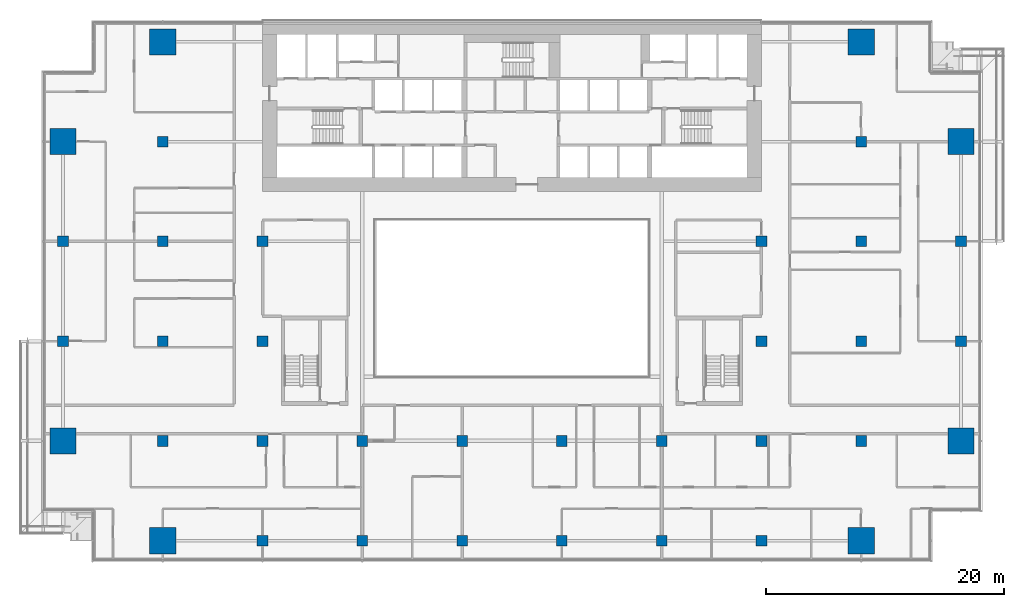
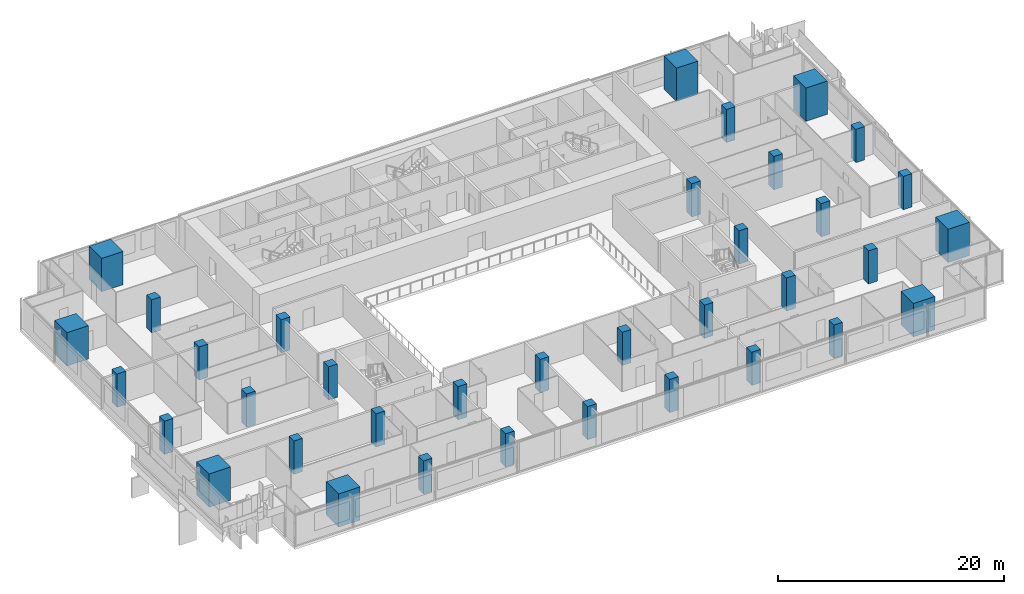
# One storey, part 1 of 27: 36 columns.
"""IFC4 building model written with IfcOpenShell, lengths in metres."""

from ifc_helpers import new_model, si_unit, direction, frame, origin, origin_2d, place, context, subcontext, project, spatial, rectangle, extrude, material, material_profile, profile_set, type_object, element, save


model = new_model("IFC4")

# Units and contexts
model_context = context("Model", 3, precision=1e-05, world=origin(), true_north=direction((0.0, 1.0)))
body_context = subcontext(model_context, "Body", "Model", "MODEL_VIEW")
ifc_project = project(units=[si_unit("LENGTHUNIT", "METRE"), si_unit("AREAUNIT", "SQUARE_METRE"), si_unit("VOLUMEUNIT", "CUBIC_METRE"), si_unit("PLANEANGLEUNIT", "RADIAN"), si_unit("MASSUNIT", "GRAM", prefix="KILO")], contexts=[model_context])

# Site, building, storey
site_placement = place(None, origin())
site = spatial("IfcSite", under=ifc_project, at=site_placement, CompositionType="ELEMENT")
building_placement = place(site_placement, origin())
building = spatial("IfcBuilding", under=site, at=building_placement, Name="Saffron Gate Tower", CompositionType="ELEMENT")
storey_placement = place(building_placement, frame((0.0, 0.0, 76.800048828125)))
storey = spatial("IfcBuildingStorey", under=building, at=storey_placement, Name="L18", CompositionType="ELEMENT", Elevation=76.800048828125)

# Columns
ifc_material_1 = material(Name="Concrete C60", Category="concrete")
ifc_material_profile_1 = material_profile(ifc_material_1, rectangle(XDim=0.89990234375, YDim=0.89990234375, at=origin_2d()))
ifc_profile_set_1 = profile_set([ifc_material_profile_1], Name="Concrete C60")
column_type_1 = type_object("IfcColumnType", Name="C6 RC 900x900 CONCRETE C60", PredefinedType="COLUMN", material=ifc_profile_set_1)
for number, where, z_axis, x_axis, name in (
    (1, (49.800048828125, 48.60009765625, 0.0), (0.0, 0.0, 1.0), (1.0, 0.0, 0.0), "C6 COLUMN X1-C"),
    (2, (49.800048828125, 57.0, 0.0), (0.0, 0.0, 1.0), (1.0, 0.0, 0.0), "C6 COLUMN X1-D"),
    (3, (58.199951171875, 40.199951171875, 0.0), (0.0, 0.0, 1.0), (1.0, 0.0, 0.0), "C6 COLUMN X2-B"),
    (4, (58.199951171875, 48.60009765625, 0.0), (0.0, 0.0, 1.0), (1.0, 0.0, 0.0), "C6 COLUMN X2-C"),
    (5, (58.199951171875, 57.0, 0.0), (0.0, 0.0, 1.0), (1.0, 0.0, 0.0), "C6 COLUMN X2-D"),
    (6, (58.199951171875, 65.39990234375, 0.0), (0.0, 0.0, 1.0), (1.0, 0.0, 0.0), "C6 COLUMN X2-E"),
    (7, (66.60009765625, 31.800048828125, 0.0), (0.0, 0.0, 1.0), (1.0, 0.0, 0.0), "C6 COLUMN X3-A"),
    (8, (66.60009765625, 40.199951171875, 0.0), (0.0, 0.0, 1.0), (1.0, 0.0, 0.0), "C6 COLUMN X3-B"),
    (9, (66.60009765625, 48.60009765625, 0.0), (0.0, 0.0, 1.0), (1.0, 0.0, 0.0), "C6 COLUMN X3-C"),
    (10, (66.60009765625, 57.0, 0.0), (0.0, 0.0, 1.0), (1.0, 0.0, 0.0), "C6 COLUMN X3-D"),
    (11, (75.0, 31.800048828125, 0.0), (0.0, 0.0, 1.0), (1.0, 0.0, 0.0), "C6 COLUMN X4-A"),
    (12, (75.0, 40.199951171875, 0.0), (0.0, 0.0, 1.0), (1.0, 0.0, 0.0), "C6 COLUMN X4-B"),
    (13, (83.39990234375, 31.800048828125, 0.0), (0.0, 0.0, 1.0), (1.0, 0.0, 0.0), "C6 COLUMN X5-A"),
    (14, (83.39990234375, 40.199951171875, 0.0), (0.0, 0.0, 1.0), (1.0, 0.0, 0.0), "C6 COLUMN X5-B"),
    (15, (91.800048828125, 31.800048828125, 0.0), (0.0, 0.0, 1.0), (1.0, 0.0, 0.0), "C6 COLUMN X6-A"),
    (16, (91.800048828125, 40.199951171875, 0.0), (0.0, 0.0, 1.0), (1.0, 0.0, 0.0), "C6 COLUMN X6-B"),
    (17, (100.199951171875, 31.800048828125, 0.0), (0.0, 0.0, 1.0), (1.0, 0.0, 0.0), "C6 COLUMN X7-A"),
    (18, (100.199951171875, 40.199951171875, 0.0), (0.0, 0.0, 1.0), (1.0, 0.0, 0.0), "C6 COLUMN X7-B"),
    (19, (108.60009765625, 31.800048828125, 0.0), (0.0, 0.0, 1.0), (1.0, 0.0, 0.0), "C6 COLUMN X8-A"),
    (20, (108.60009765625, 40.199951171875, 0.0), (0.0, 0.0, 1.0), (1.0, 0.0, 0.0), "C6 COLUMN X8-B"),
    (21, (108.60009765625, 48.60009765625, 0.0), (0.0, 0.0, 1.0), (1.0, 0.0, 0.0), "C6 COLUMN X8-C"),
    (22, (108.60009765625, 57.0, 0.0), (0.0, 0.0, 1.0), (1.0, 0.0, 0.0), "C6 COLUMN X8-D"),
    (23, (117.0, 40.199951171875, 0.0), (0.0, 0.0, 1.0), (1.0, 0.0, 0.0), "C6 COLUMN X9-B"),
    (24, (117.0, 48.60009765625, 0.0), (0.0, 0.0, 1.0), (1.0, 0.0, 0.0), "C6 COLUMN X9-C"),
    (25, (117.0, 57.0, 0.0), (0.0, 0.0, 1.0), (1.0, 0.0, 0.0), "C6 COLUMN X9-D"),
    (26, (117.0, 65.39990234375, 0.0), (0.0, 0.0, 1.0), (1.0, 0.0, 0.0), "C6 COLUMN X9-E"),
    (27, (125.39990234375, 48.60009765625, 0.0), (0.0, 0.0, 1.0), (1.0, 0.0, 0.0), "C6 COLUMN X10-C"),
    (28, (125.39990234375, 57.0, 0.0), (0.0, 0.0, 1.0), (1.0, 0.0, 0.0), "C6 COLUMN X10-D"),
):
    element("IfcColumn", number, at=place(storey_placement, frame(where, z_axis=z_axis, x_axis=x_axis)), inside=storey, type_object=column_type_1, Name=name, PredefinedType="COLUMN", context=body_context, shape_type="SweptSolid", body=[
        extrude(rectangle(XDim=0.89990234375, YDim=0.89990234375, at=origin_2d()), origin(), (0.0, 0.0, 1.0), 3.599853515625),
    ])
ifc_material_2 = material(Name="Concrete C80", Category="concrete")
ifc_material_profile_2 = material_profile(ifc_material_2, rectangle(XDim=2.199951171875, YDim=2.199951171875, at=origin_2d()))
ifc_profile_set_2 = profile_set([ifc_material_profile_2], Name="Concrete C80")
column_type_2 = type_object("IfcColumnType", Name="MC4 RC 2200x2200 CONCRETE C80", PredefinedType="COLUMN", material=ifc_profile_set_2)
for number, where, z_axis, x_axis, name in (
    (29, (49.800048828125, 40.199951171875, 0.0), (0.0, 0.0, 1.0), (1.0, 0.0, 0.0), "MC4 MEGA COLUMN X1-B"),
    (30, (49.800048828125, 65.39990234375, 0.0), (0.0, 0.0, 1.0), (1.0, 0.0, 0.0), "MC4 MEGA COLUMN X1-E"),
    (31, (58.199951171875, 31.800048828125, 0.0), (0.0, 0.0, 1.0), (1.0, 0.0, 0.0), "MC4 MEGA COLUMN X2-A"),
    (32, (58.199951171875, 73.800048828125, 0.0), (0.0, 0.0, 1.0), (1.0, 0.0, 0.0), "MC4 MEGA COLUMN X2-F"),
    (33, (117.0, 31.800048828125, 0.0), (0.0, 0.0, 1.0), (1.0, 0.0, 0.0), "MC4 MEGA COLUMN X9-A"),
    (34, (117.0, 73.800048828125, 0.0), (0.0, 0.0, 1.0), (1.0, 0.0, 0.0), "MC4 MEGA COLUMN X9-F"),
    (35, (125.39990234375, 40.199951171875, 0.0), (0.0, 0.0, 1.0), (1.0, 0.0, 0.0), "MC4 MEGA COLUMN X10-B"),
    (36, (125.39990234375, 65.39990234375, 0.0), (0.0, 0.0, 1.0), (1.0, 0.0, 0.0), "MC4 MEGA COLUMN X10-E"),
):
    element("IfcColumn", number, at=place(storey_placement, frame(where, z_axis=z_axis, x_axis=x_axis)), inside=storey, type_object=column_type_2, Name=name, PredefinedType="COLUMN", context=body_context, shape_type="SweptSolid", body=[
        extrude(rectangle(XDim=2.199951171875, YDim=2.199951171875, at=origin_2d()), origin(), (0.0, 0.0, 1.0), 3.599853515625),
    ])

save(model, "model.ifc")
